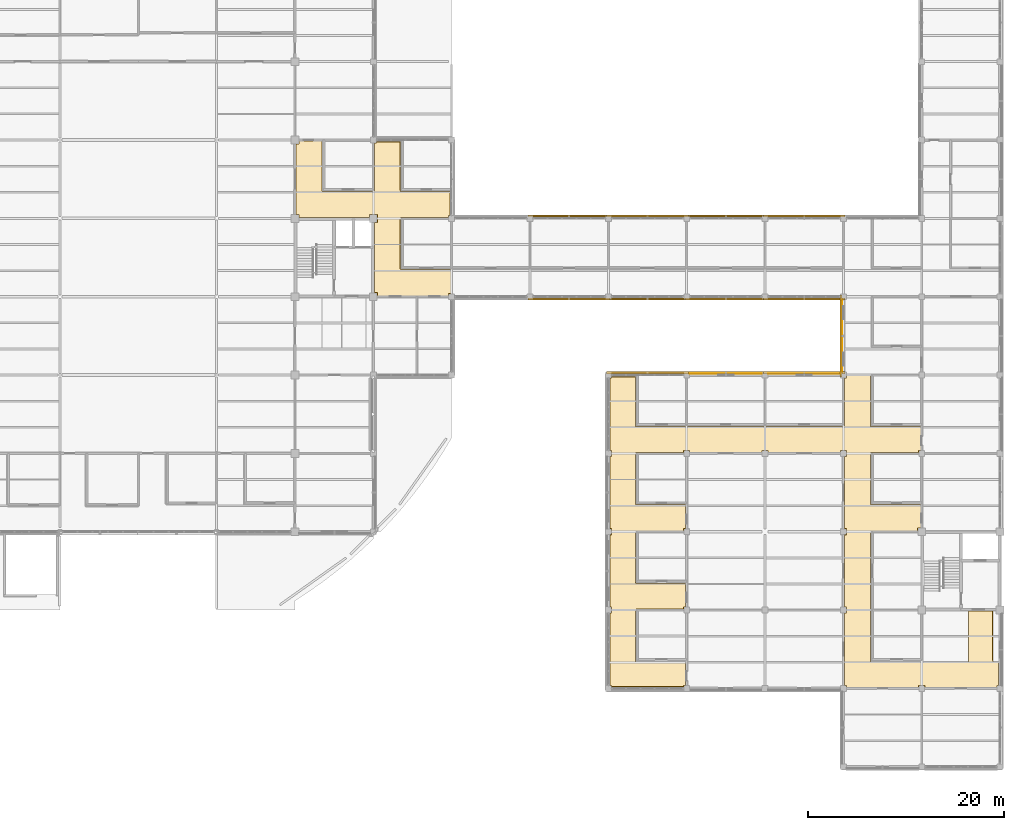
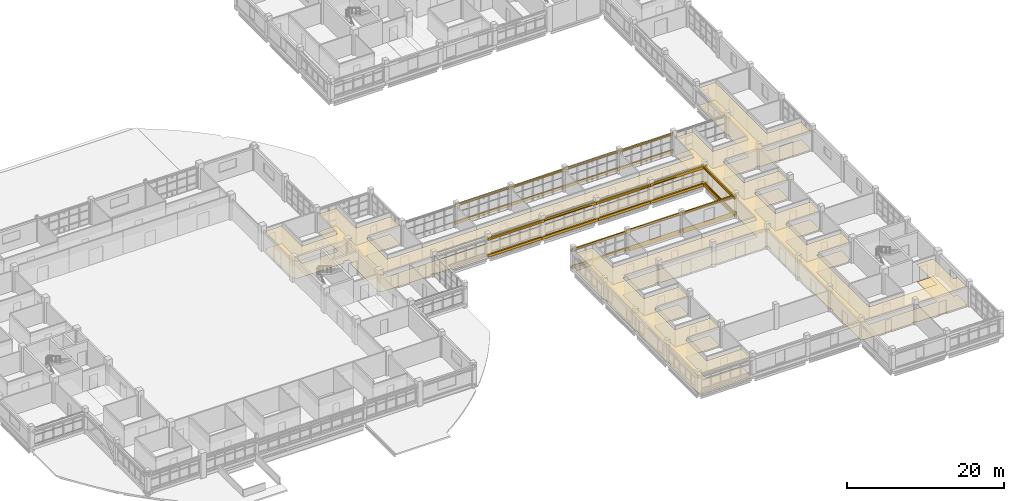
# One storey, part 122 of 126: 29 coverings, 12 shading devices.
"""IFC4 building model written with IfcOpenShell, lengths in metres."""

from ifc_helpers import new_model, si_unit, derived_unit, direction, frame, origin, origin_2d, place, context, subcontext, project, spatial, polyline, rectangle, circle, outline, extrude, material, layer, layer_set, material_profile, profile_set, type_object, element, save


model = new_model("IFC4")

# Units and contexts
model_context = context("Model", 3, precision=1e-05, world=origin(), true_north=direction((0.0, 1.0)))
body_context = subcontext(model_context, "Body", "Model", "MODEL_VIEW")
ifc_project = project(units=[si_unit("LENGTHUNIT", "METRE"), si_unit("AREAUNIT", "SQUARE_METRE"), si_unit("VOLUMEUNIT", "CUBIC_METRE"), si_unit("PLANEANGLEUNIT", "RADIAN"), si_unit("MASSUNIT", "GRAM", prefix="KILO"), derived_unit("THERMALTRANSMITTANCEUNIT", [(si_unit("MASSUNIT", "GRAM", prefix="KILO"), 1), (si_unit("TIMEUNIT", "SECOND"), -3), (si_unit("THERMODYNAMICTEMPERATUREUNIT", "KELVIN"), -1)])], contexts=[model_context])

# Site, building, storey
site_placement = place(None, origin())
site = spatial("IfcSite", under=ifc_project, at=site_placement, CompositionType="ELEMENT")
building_placement = place(site_placement, origin())
building = spatial("IfcBuilding", under=site, at=building_placement, Name="Veyamyaing Civic Hall", CompositionType="ELEMENT")
storey_placement = place(building_placement, frame((0.0, 0.0, 9.89990234375)))
storey = spatial("IfcBuildingStorey", under=building, at=storey_placement, Name="L02", CompositionType="ELEMENT", Elevation=9.89990234375)

# Coverings
ifc_material_1 = material(Name="Buff sandstone ashlar cladding", Category="masonry")
ifc_layer_1 = layer(ifc_material_1, 0.050048828125, Name="Buff sandstone ashlar cladding")
ifc_layer_set_1 = layer_set([ifc_layer_1], Name="Buff sandstone ashlar cladding")
covering_type_1 = type_object("IfcCoveringType", Name="CL-01", PredefinedType="CLADDING", material=ifc_layer_set_1)
for number, where, z_axis, x_axis, name in (
    (1, (156.0, 40.156005859375, 0.045166015625), (0.0, 0.0, 1.0), (1.0, 0.0, 0.0), "Facade spandrel cladding CL-01 L02 N 20.5"),
    (2, (159.839111328125, 44.0, 0.045166015625), (0.0, 0.0, 1.0), (0.0, 1.0, 0.0), "Facade spandrel cladding CL-01 L02 W 21.6"),
):
    element("IfcCovering", number, at=place(storey_placement, frame(where, z_axis=z_axis, x_axis=x_axis)), inside=storey, type_object=covering_type_1, Name=name, PredefinedType="CLADDING", context=body_context, shape_type="SweptSolid", body=[
        extrude(rectangle(XDim=7.35009765625, YDim=0.050048828125, at=origin_2d()), origin(), (0.0, 0.0, 1.0), 0.75),
    ])
ifc_material_2 = material(Name="Turquoise glazed ceramic tile cladding", Category="masonry")
ifc_layer_2 = layer(ifc_material_2, 0.034912109375, Name="Turquoise glazed ceramic tile cladding")
ifc_layer_set_2 = layer_set([ifc_layer_2], Name="Turquoise glazed ceramic tile cladding")
covering_type_2 = type_object("IfcCoveringType", Name="CL-02", PredefinedType="CLADDING", material=ifc_layer_set_2)
covering_1_placement = place(storey_placement, frame((148.0, 40.1484375, 0.045166015625), z_axis=(0.0, 0.0, 1.0), x_axis=(1.0, 0.0, 0.0)))
element("IfcCovering", 3, at=covering_1_placement, inside=storey, type_object=covering_type_2, Name="Facade spandrel cladding CL-02 L02 N 19.5", PredefinedType="CLADDING", context=body_context, shape_type="SweptSolid", body=[
    extrude(rectangle(XDim=7.35009765625, YDim=0.034912109375, at=origin_2d()), origin(), (0.0, 0.0, 1.0), 0.75),
])
ifc_material_3 = material(Name="White powder-coated aluminium 6063-T6", Category="aluminium")
ifc_layer_3 = layer(ifc_material_3, 0.2099609375, Name="White powder-coated aluminium 6063-T6")
ifc_layer_set_3 = layer_set([ifc_layer_3], Name="White powder-coated aluminium 6063-T6")
covering_type_3 = type_object("IfcCoveringType", Name="CL-03", PredefinedType="CLADDING", material=ifc_layer_set_3)
for number, where, z_axis, x_axis, name in (
    (4, (132.0, 47.760009765625, 2.900146484375), (0.0, 0.0, 1.0), (1.0, 0.0, 0.0), "Continuous white head fascia ribbon CL-03 L02 S 17.7"),
    (5, (132.0, 47.760009765625, 0.280029296875), (0.0, 0.0, 1.0), (1.0, 0.0, 0.0), "Continuous white sill fascia ribbon CL-03 L02 S 17.7"),
    (6, (132.0, 56.239990234375, 2.964111328125), (0.0, 0.0, 1.0), (1.0, 0.0, 0.0), "Continuous white head fascia ribbon CL-03 L02 N 17.7"),
    (7, (132.0, 56.239990234375, 0.280029296875), (0.0, 0.0, 1.0), (1.0, 0.0, 0.0), "Continuous white sill fascia ribbon CL-03 L02 N 17.7"),
    (8, (140.0, 40.239990234375, 2.900146484375), (0.0, 0.0, 1.0), (1.0, 0.0, 0.0), "Continuous white head fascia ribbon CL-03 L02 N 18.5"),
    (9, (140.0, 40.239990234375, 0.280029296875), (0.0, 0.0, 1.0), (1.0, 0.0, 0.0), "Continuous white sill fascia ribbon CL-03 L02 N 18.5"),
    (10, (140.0, 47.760009765625, 2.964111328125), (0.0, 0.0, 1.0), (1.0, 0.0, 0.0), "Continuous white head fascia ribbon CL-03 L02 S 18.7"),
    (11, (140.0, 47.760009765625, 0.280029296875), (0.0, 0.0, 1.0), (1.0, 0.0, 0.0), "Continuous white sill fascia ribbon CL-03 L02 S 18.7"),
    (12, (140.0, 56.239990234375, 2.904052734375), (0.0, 0.0, 1.0), (1.0, 0.0, 0.0), "Continuous white head fascia ribbon CL-03 L02 N 18.7"),
    (13, (140.0, 56.239990234375, 0.280029296875), (0.0, 0.0, 1.0), (1.0, 0.0, 0.0), "Continuous white sill fascia ribbon CL-03 L02 N 18.7"),
    (14, (148.0, 40.239990234375, 2.979248046875), (0.0, 0.0, 1.0), (1.0, 0.0, 0.0), "Continuous white head fascia ribbon CL-03 L02 N 19.5"),
    (15, (148.0, 40.239990234375, 0.280029296875), (0.0, 0.0, 1.0), (1.0, 0.0, 0.0), "Continuous white sill fascia ribbon CL-03 L02 N 19.5"),
    (16, (148.0, 47.760009765625, 2.904052734375), (0.0, 0.0, 1.0), (1.0, 0.0, 0.0), "Continuous white head fascia ribbon CL-03 L02 S 19.7"),
    (17, (148.0, 47.760009765625, 0.280029296875), (0.0, 0.0, 1.0), (1.0, 0.0, 0.0), "Continuous white sill fascia ribbon CL-03 L02 S 19.7"),
    (18, (148.0, 56.239990234375, 2.967041015625), (0.0, 0.0, 1.0), (1.0, 0.0, 0.0), "Continuous white head fascia ribbon CL-03 L02 N 19.7"),
    (19, (148.0, 56.239990234375, 0.280029296875), (0.0, 0.0, 1.0), (1.0, 0.0, 0.0), "Continuous white sill fascia ribbon CL-03 L02 N 19.7"),
    (20, (156.0, 40.239990234375, 2.919189453125), (0.0, 0.0, 1.0), (1.0, 0.0, 0.0), "Continuous white head fascia ribbon CL-03 L02 N 20.5"),
    (21, (156.0, 40.239990234375, 0.280029296875), (0.0, 0.0, 1.0), (1.0, 0.0, 0.0), "Continuous white sill fascia ribbon CL-03 L02 N 20.5"),
    (22, (156.0, 47.760009765625, 2.967041015625), (0.0, 0.0, 1.0), (1.0, 0.0, 0.0), "Continuous white head fascia ribbon CL-03 L02 S 20.7"),
    (23, (156.0, 47.760009765625, 0.280029296875), (0.0, 0.0, 1.0), (1.0, 0.0, 0.0), "Continuous white sill fascia ribbon CL-03 L02 S 20.7"),
    (24, (156.0, 56.239990234375, 2.900146484375), (0.0, 0.0, 1.0), (1.0, 0.0, 0.0), "Continuous white head fascia ribbon CL-03 L02 N 20.7"),
    (25, (156.0, 56.239990234375, 0.280029296875), (0.0, 0.0, 1.0), (1.0, 0.0, 0.0), "Continuous white sill fascia ribbon CL-03 L02 N 20.7"),
    (26, (159.760009765625, 44.0, 2.967041015625), (0.0, 0.0, 1.0), (0.0, 1.0, 0.0), "Continuous white head fascia ribbon CL-03 L02 W 21.6"),
    (27, (159.760009765625, 44.0, 0.280029296875), (0.0, 0.0, 1.0), (0.0, 1.0, 0.0), "Continuous white sill fascia ribbon CL-03 L02 W 21.6"),
):
    element("IfcCovering", number, at=place(storey_placement, frame(where, z_axis=z_axis, x_axis=x_axis)), inside=storey, type_object=covering_type_3, Name=name, PredefinedType="CLADDING", context=body_context, shape_type="SweptSolid", body=[
        extrude(rectangle(XDim=8.360107421875, YDim=0.2099609375, at=origin_2d()), origin(), (0.0, 0.0, 1.0), 0.39990234375),
    ])
ifc_material_4 = material(Name="Perforated acoustic gypsum ceiling board")
ifc_layer_4 = layer(ifc_material_4, 0.02490234375, Name="Perforated acoustic gypsum ceiling board")
ifc_layer_set_4 = layer_set([ifc_layer_4], Name="Perforated acoustic gypsum ceiling board")
covering_type_4 = type_object("IfcCoveringType", Name="CLG-01", PredefinedType="CEILING", material=ifc_layer_set_4)
covering_2_placement = place(storey_placement, frame((0.0, 0.0, 2.7001953125)))
element("IfcCovering", 28, at=covering_2_placement, inside=storey, type_object=covering_type_4, Name="Acoustic suspended ceiling CLG-01 L02-C05", PredefinedType="CEILING", context=body_context, shape_type="SweptSolid", body=[
    extrude(outline(polyline([(104.074951171875, 56.385009765625), (104.074951171875, 63.614990234375), (104.385009765625, 63.614990234375), (104.385009765625, 63.925048828125), (106.77490234375, 63.925048828125), (106.77490234375, 58.8525390625), (106.78125, 58.821533203125), (106.79736328125, 58.79736328125), (106.821533203125, 58.78125), (106.8525390625, 58.77490234375), (111.998291015625, 58.77490234375), (112.021728515625, 58.778564453125), (112.0419921875, 58.7880859375), (112.052490234375, 58.796630859375), (112.06640625, 58.815185546875), (112.0712890625, 58.82763671875), (112.074951171875, 58.851806640625), (112.074951171875, 63.715087890625), (112.284912109375, 63.715087890625), (112.284912109375, 63.844970703125), (114.77490234375, 63.844970703125), (114.77490234375, 58.8525390625), (114.78125, 58.821533203125), (114.79736328125, 58.79736328125), (114.821533203125, 58.78125), (114.8525390625, 58.77490234375), (119.844970703125, 58.77490234375), (119.844970703125, 56.284912109375), (119.715087890625, 56.284912109375), (119.715087890625, 56.074951171875), (114.851806640625, 56.074951171875), (114.82763671875, 56.0712890625), (114.815185546875, 56.06640625), (114.796630859375, 56.052490234375), (114.7880859375, 56.0419921875), (114.778564453125, 56.021728515625), (114.77490234375, 55.998291015625), (114.77490234375, 50.8525390625), (114.78125, 50.82080078125), (114.792236328125, 50.802490234375), (114.80810546875, 50.788330078125), (114.83544921875, 50.77685546875), (160.006103515625, 50.775390625), (160.03515625, 50.7841796875), (160.05810546875, 50.80322265625), (160.068603515625, 50.82080078125), (160.074951171875, 50.8525390625), (160.074951171875, 55.715087890625), (160.284912109375, 55.715087890625), (160.284912109375, 55.844970703125), (162.77490234375, 55.844970703125), (162.77490234375, 50.8525390625), (162.78125, 50.821533203125), (162.79736328125, 50.79736328125), (162.821533203125, 50.78125), (162.8525390625, 50.77490234375), (168.006103515625, 50.775390625), (168.03515625, 50.7841796875), (168.05810546875, 50.80322265625), (168.068603515625, 50.82080078125), (168.074951171875, 50.8525390625), (168.074951171875, 55.715087890625), (168.284912109375, 55.715087890625), (168.284912109375, 56.284912109375), (168.155029296875, 56.284912109375), (168.155029296875, 63.715087890625), (168.284912109375, 63.715087890625), (168.284912109375, 63.925048828125), (170.77490234375, 63.925048828125), (170.77490234375, 50.851806640625), (170.778564453125, 50.828369140625), (170.787841796875, 50.80859375), (170.80224609375, 50.792724609375), (170.8291015625, 50.7783203125), (170.851806640625, 50.77490234375), (175.844970703125, 50.77490234375), (175.844970703125, 48.284912109375), (175.715087890625, 48.284912109375), (175.715087890625, 48.074951171875), (168.284912109375, 48.074951171875), (168.284912109375, 48.284912109375), (167.715087890625, 48.284912109375), (167.715087890625, 48.074951171875), (162.851806640625, 48.074951171875), (162.8291015625, 48.071533203125), (162.80224609375, 48.057373046875), (162.787841796875, 48.04150390625), (162.778564453125, 48.021728515625), (162.77490234375, 47.998291015625), (162.77490234375, 42.8525390625), (162.78125, 42.821533203125), (162.79736328125, 42.79736328125), (162.821533203125, 42.78125), (162.8525390625, 42.77490234375), (167.925048828125, 42.77490234375), (167.925048828125, 40.284912109375), (167.715087890625, 40.284912109375), (167.715087890625, 40.074951171875), (162.851318359375, 40.074951171875), (162.8359375, 40.073486328125), (162.814208984375, 40.065673828125), (162.802978515625, 40.05810546875), (162.787841796875, 40.04150390625), (162.778564453125, 40.021728515625), (162.77490234375, 39.998291015625), (162.77490234375, 34.851806640625), (162.778564453125, 34.828369140625), (162.787841796875, 34.80859375), (162.80224609375, 34.792724609375), (162.8291015625, 34.7783203125), (162.851806640625, 34.77490234375), (167.925048828125, 34.77490234375), (167.925048828125, 32.284912109375), (167.715087890625, 32.284912109375), (167.715087890625, 32.074951171875), (162.8525390625, 32.074951171875), (162.821533203125, 32.06884765625), (162.79736328125, 32.052734375), (162.78125, 32.028564453125), (162.77490234375, 31.99755859375), (162.77685546875, 26.8349609375), (162.783935546875, 26.8154296875), (162.802734375, 26.79248046875), (162.8291015625, 26.7783203125), (162.851806640625, 26.77490234375), (167.925048828125, 26.77490234375), (167.925048828125, 24.385009765625), (167.614990234375, 24.385009765625), (167.614990234375, 24.074951171875), (162.851806640625, 24.074951171875), (162.828369140625, 24.071533203125), (162.80859375, 24.06201171875), (162.792236328125, 24.04736328125), (162.78125, 24.029296875), (162.77490234375, 23.99755859375), (162.775390625, 10.843994140625), (162.7841796875, 10.81494140625), (162.802734375, 10.79248046875), (162.8291015625, 10.7783203125), (162.851806640625, 10.77490234375), (172.697509765625, 10.77490234375), (172.729248046875, 10.78125), (172.747314453125, 10.792236328125), (172.76220703125, 10.80859375), (172.771484375, 10.828369140625), (172.77490234375, 10.851806640625), (172.77490234375, 15.925048828125), (175.27490234375, 15.925048828125), (175.275390625, 10.84326171875), (175.281005859375, 10.8212890625), (175.2919921875, 10.80322265625), (175.3154296875, 10.783935546875), (175.3349609375, 10.77685546875), (175.844970703125, 10.77490234375), (175.844970703125, 8.284912109375), (175.715087890625, 8.284912109375), (175.715087890625, 8.074951171875), (168.284912109375, 8.074951171875), (168.284912109375, 8.284912109375), (167.715087890625, 8.284912109375), (167.715087890625, 8.074951171875), (160.284912109375, 8.074951171875), (160.284912109375, 8.284912109375), (160.074951171875, 8.284912109375), (160.074951171875, 15.715087890625), (160.284912109375, 15.715087890625), (160.284912109375, 16.284912109375), (160.074951171875, 16.284912109375), (160.074951171875, 23.715087890625), (160.284912109375, 23.715087890625), (160.284912109375, 24.284912109375), (160.074951171875, 24.284912109375), (160.074951171875, 31.715087890625), (160.284912109375, 31.715087890625), (160.284912109375, 32.284912109375), (159.715087890625, 32.284912109375), (159.715087890625, 32.074951171875), (152.284912109375, 32.074951171875), (152.284912109375, 32.284912109375), (151.715087890625, 32.284912109375), (151.715087890625, 32.074951171875), (144.284912109375, 32.074951171875), (144.284912109375, 32.284912109375), (143.715087890625, 32.284912109375), (143.715087890625, 32.074951171875), (138.8525390625, 32.074951171875), (138.821533203125, 32.06884765625), (138.79736328125, 32.052734375), (138.78125, 32.028564453125), (138.77490234375, 31.99755859375), (138.77490234375, 26.851806640625), (138.778564453125, 26.828369140625), (138.787841796875, 26.80859375), (138.802978515625, 26.791748046875), (138.814208984375, 26.7841796875), (138.8359375, 26.776611328125), (138.851318359375, 26.77490234375), (143.925048828125, 26.77490234375), (143.925048828125, 24.284912109375), (143.715087890625, 24.284912109375), (143.715087890625, 24.074951171875), (138.8525390625, 24.074951171875), (138.821533203125, 24.06884765625), (138.79736328125, 24.052734375), (138.78125, 24.028564453125), (138.77490234375, 23.99755859375), (138.77490234375, 18.851806640625), (138.778564453125, 18.828369140625), (138.787841796875, 18.80859375), (138.80224609375, 18.792724609375), (138.8291015625, 18.7783203125), (138.851806640625, 18.77490234375), (143.925048828125, 18.77490234375), (143.925048828125, 16.284912109375), (143.715087890625, 16.284912109375), (143.715087890625, 16.074951171875), (138.8525390625, 16.074951171875), (138.821533203125, 16.06884765625), (138.79736328125, 16.052734375), (138.78125, 16.028564453125), (138.77490234375, 15.99755859375), (138.77685546875, 10.8349609375), (138.783935546875, 10.8154296875), (138.802734375, 10.79248046875), (138.8291015625, 10.7783203125), (138.851806640625, 10.77490234375), (143.925048828125, 10.77490234375), (143.925048828125, 8.284912109375), (143.715087890625, 8.284912109375), (143.715087890625, 8.155029296875), (136.284912109375, 8.155029296875), (136.284912109375, 8.284912109375), (136.155029296875, 8.284912109375), (136.155029296875, 15.715087890625), (136.284912109375, 15.715087890625), (136.284912109375, 16.284912109375), (136.155029296875, 16.284912109375), (136.155029296875, 23.715087890625), (136.284912109375, 23.715087890625), (136.284912109375, 24.284912109375), (136.155029296875, 24.284912109375), (136.155029296875, 31.715087890625), (136.284912109375, 31.715087890625), (136.284912109375, 32.284912109375), (136.155029296875, 32.284912109375), (136.155029296875, 39.715087890625), (136.284912109375, 39.715087890625), (136.284912109375, 39.844970703125), (138.77490234375, 39.844970703125), (138.77490234375, 34.8525390625), (138.78125, 34.82080078125), (138.7919921875, 34.80322265625), (138.8154296875, 34.783935546875), (138.834716796875, 34.77685546875), (159.998291015625, 34.77490234375), (160.02099609375, 34.7783203125), (160.0478515625, 34.792724609375), (160.06201171875, 34.80859375), (160.071533203125, 34.828369140625), (160.074951171875, 34.851806640625), (160.074951171875, 39.715087890625), (160.284912109375, 39.715087890625), (160.284912109375, 40.284912109375), (160.155029296875, 40.284912109375), (160.155029296875, 47.715087890625), (160.284912109375, 47.715087890625), (160.284912109375, 48.284912109375), (159.715087890625, 48.284912109375), (159.715087890625, 48.155029296875), (152.284912109375, 48.155029296875), (152.284912109375, 48.284912109375), (151.715087890625, 48.284912109375), (151.715087890625, 48.155029296875), (144.284912109375, 48.155029296875), (144.284912109375, 48.284912109375), (143.715087890625, 48.284912109375), (143.715087890625, 48.155029296875), (136.284912109375, 48.155029296875), (136.284912109375, 48.284912109375), (135.715087890625, 48.284912109375), (135.715087890625, 48.155029296875), (128.284912109375, 48.155029296875), (128.284912109375, 48.284912109375), (127.715087890625, 48.284912109375), (127.715087890625, 48.155029296875), (120.284912109375, 48.155029296875), (120.284912109375, 48.284912109375), (119.715087890625, 48.284912109375), (119.715087890625, 48.074951171875), (112.385009765625, 48.074951171875), (112.385009765625, 48.385009765625), (112.074951171875, 48.385009765625), (112.074951171875, 55.614990234375), (112.385009765625, 55.614990234375), (112.385009765625, 56.385009765625), (111.614990234375, 56.385009765625), (111.614990234375, 56.074951171875), (104.385009765625, 56.074951171875), (104.385009765625, 56.385009765625), (104.074951171875, 56.385009765625)])), origin(), (0.0, 0.0, 1.0), 0.02490234375),
])
ifc_material_5 = material(Name="Polished Mandalay marble and terrazzo flooring", Category="masonry")
ifc_layer_5 = layer(ifc_material_5, 0.030029296875, Name="Polished Mandalay marble and terrazzo flooring")
ifc_layer_set_5 = layer_set([ifc_layer_5], Name="Polished Mandalay marble and terrazzo flooring")
covering_type_5 = type_object("IfcCoveringType", Name="FLR-01", PredefinedType="FLOORING", material=ifc_layer_set_5)
covering_3_placement = place(storey_placement, origin())
element("IfcCovering", 29, at=covering_3_placement, inside=storey, type_object=covering_type_5, Name="Stone and terrazzo flooring FLR-01 L02-C05", PredefinedType="FLOORING", context=body_context, shape_type="SweptSolid", body=[
    extrude(outline(polyline([(104.10009765625, 56.409912109375), (104.10009765625, 63.590087890625), (104.409912109375, 63.590087890625), (104.409912109375, 63.89990234375), (106.75, 63.89990234375), (106.75, 58.85009765625), (106.757568359375, 58.811767578125), (106.779296875, 58.779296875), (106.811767578125, 58.757568359375), (106.85009765625, 58.75), (112.0, 58.75), (112.029052734375, 58.75439453125), (112.0556640625, 58.766845703125), (112.07080078125, 58.779296875), (112.088134765625, 58.802978515625), (112.095703125, 58.821044921875), (112.10009765625, 58.85009765625), (112.10009765625, 63.68994140625), (112.31005859375, 63.68994140625), (112.31005859375, 63.820068359375), (114.75, 63.820068359375), (114.75, 58.85009765625), (114.757568359375, 58.811767578125), (114.779296875, 58.779296875), (114.811767578125, 58.757568359375), (114.85009765625, 58.75), (119.820068359375, 58.75), (119.820068359375, 56.31005859375), (119.68994140625, 56.31005859375), (119.68994140625, 56.10009765625), (114.85009765625, 56.10009765625), (114.821044921875, 56.095703125), (114.802978515625, 56.088134765625), (114.779296875, 56.07080078125), (114.766845703125, 56.0556640625), (114.75439453125, 56.029052734375), (114.75, 56.0), (114.75, 50.85009765625), (114.757568359375, 50.811767578125), (114.772705078125, 50.78662109375), (114.79443359375, 50.766845703125), (114.83056640625, 50.751953125), (160.009765625, 50.75048828125), (160.047119140625, 50.76171875), (160.077392578125, 50.78662109375), (160.09228515625, 50.811767578125), (160.10009765625, 50.85009765625), (160.10009765625, 55.68994140625), (160.31005859375, 55.68994140625), (160.31005859375, 55.820068359375), (162.75, 55.820068359375), (162.75, 50.85009765625), (162.757568359375, 50.811767578125), (162.779296875, 50.779296875), (162.811767578125, 50.757568359375), (162.85009765625, 50.75), (168.009765625, 50.75048828125), (168.047119140625, 50.76171875), (168.077392578125, 50.78662109375), (168.09228515625, 50.811767578125), (168.10009765625, 50.85009765625), (168.10009765625, 55.68994140625), (168.31005859375, 55.68994140625), (168.31005859375, 56.31005859375), (168.179931640625, 56.31005859375), (168.179931640625, 63.68994140625), (168.31005859375, 63.68994140625), (168.31005859375, 63.89990234375), (170.75, 63.89990234375), (170.75, 50.85009765625), (170.75439453125, 50.821044921875), (170.766845703125, 50.79443359375), (170.78662109375, 50.772705078125), (170.821044921875, 50.75439453125), (170.85009765625, 50.75), (175.820068359375, 50.75), (175.820068359375, 48.31005859375), (175.68994140625, 48.31005859375), (175.68994140625, 48.10009765625), (168.31005859375, 48.10009765625), (168.31005859375, 48.31005859375), (167.68994140625, 48.31005859375), (167.68994140625, 48.10009765625), (162.85009765625, 48.10009765625), (162.821044921875, 48.095703125), (162.78662109375, 48.077392578125), (162.766845703125, 48.0556640625), (162.75439453125, 48.029052734375), (162.75, 48.0), (162.75, 42.85009765625), (162.757568359375, 42.811767578125), (162.779296875, 42.779296875), (162.811767578125, 42.757568359375), (162.85009765625, 42.75), (167.89990234375, 42.75), (167.89990234375, 40.31005859375), (167.68994140625, 40.31005859375), (167.68994140625, 40.10009765625), (162.85009765625, 40.10009765625), (162.83056640625, 40.09814453125), (162.802978515625, 40.088134765625), (162.78662109375, 40.077392578125), (162.766845703125, 40.0556640625), (162.75439453125, 40.029052734375), (162.75, 40.0), (162.75, 34.85009765625), (162.75439453125, 34.821044921875), (162.766845703125, 34.79443359375), (162.78662109375, 34.772705078125), (162.821044921875, 34.75439453125), (162.85009765625, 34.75), (167.89990234375, 34.75), (167.89990234375, 32.31005859375), (167.68994140625, 32.31005859375), (167.68994140625, 32.10009765625), (162.85009765625, 32.10009765625), (162.811767578125, 32.09228515625), (162.779296875, 32.07080078125), (162.757568359375, 32.038330078125), (162.75, 32.0), (162.751953125, 26.83056640625), (162.76171875, 26.802978515625), (162.78662109375, 26.772705078125), (162.821044921875, 26.75439453125), (162.85009765625, 26.75), (167.89990234375, 26.75), (167.89990234375, 24.409912109375), (167.590087890625, 24.409912109375), (167.590087890625, 24.10009765625), (162.85009765625, 24.10009765625), (162.821044921875, 24.095703125), (162.79443359375, 24.0830078125), (162.772705078125, 24.0634765625), (162.757568359375, 24.038330078125), (162.75, 24.0), (162.75048828125, 10.840087890625), (162.76171875, 10.802978515625), (162.78662109375, 10.772705078125), (162.821044921875, 10.75439453125), (162.85009765625, 10.75), (172.699951171875, 10.75), (172.73828125, 10.757568359375), (172.763427734375, 10.772705078125), (172.783203125, 10.79443359375), (172.795654296875, 10.821044921875), (172.800048828125, 10.85009765625), (172.800048828125, 15.89990234375), (175.25, 15.89990234375), (175.25048828125, 10.840087890625), (175.257568359375, 10.811767578125), (175.272705078125, 10.78662109375), (175.302978515625, 10.76171875), (175.33056640625, 10.751953125), (175.820068359375, 10.75), (175.820068359375, 8.31005859375), (175.68994140625, 8.31005859375), (175.68994140625, 8.10009765625), (168.31005859375, 8.10009765625), (168.31005859375, 8.31005859375), (167.68994140625, 8.31005859375), (167.68994140625, 8.10009765625), (160.31005859375, 8.10009765625), (160.31005859375, 8.31005859375), (160.10009765625, 8.31005859375), (160.10009765625, 15.68994140625), (160.31005859375, 15.68994140625), (160.31005859375, 16.31005859375), (160.10009765625, 16.31005859375), (160.10009765625, 23.68994140625), (160.31005859375, 23.68994140625), (160.31005859375, 24.31005859375), (160.10009765625, 24.31005859375), (160.10009765625, 31.68994140625), (160.31005859375, 31.68994140625), (160.31005859375, 32.31005859375), (159.68994140625, 32.31005859375), (159.68994140625, 32.10009765625), (152.31005859375, 32.10009765625), (152.31005859375, 32.31005859375), (151.68994140625, 32.31005859375), (151.68994140625, 32.10009765625), (144.31005859375, 32.10009765625), (144.31005859375, 32.31005859375), (143.68994140625, 32.31005859375), (143.68994140625, 32.10009765625), (138.85009765625, 32.10009765625), (138.811767578125, 32.09228515625), (138.779296875, 32.07080078125), (138.757568359375, 32.038330078125), (138.75, 32.0), (138.75, 26.85009765625), (138.75439453125, 26.821044921875), (138.766845703125, 26.79443359375), (138.78662109375, 26.772705078125), (138.802978515625, 26.76171875), (138.83056640625, 26.751953125), (138.85009765625, 26.75), (143.89990234375, 26.75), (143.89990234375, 24.31005859375), (143.68994140625, 24.31005859375), (143.68994140625, 24.10009765625), (138.85009765625, 24.10009765625), (138.811767578125, 24.09228515625), (138.779296875, 24.07080078125), (138.757568359375, 24.038330078125), (138.75, 24.0), (138.75, 18.85009765625), (138.75439453125, 18.821044921875), (138.766845703125, 18.79443359375), (138.78662109375, 18.772705078125), (138.821044921875, 18.75439453125), (138.85009765625, 18.75), (143.89990234375, 18.75), (143.89990234375, 16.31005859375), (143.68994140625, 16.31005859375), (143.68994140625, 16.10009765625), (138.85009765625, 16.10009765625), (138.811767578125, 16.09228515625), (138.779296875, 16.07080078125), (138.757568359375, 16.038330078125), (138.75, 16.0), (138.751953125, 10.83056640625), (138.76171875, 10.802978515625), (138.78662109375, 10.772705078125), (138.821044921875, 10.75439453125), (138.85009765625, 10.75), (143.89990234375, 10.75), (143.89990234375, 8.31005859375), (143.68994140625, 8.31005859375), (143.68994140625, 8.179931640625), (136.31005859375, 8.179931640625), (136.31005859375, 8.31005859375), (136.179931640625, 8.31005859375), (136.179931640625, 15.68994140625), (136.31005859375, 15.68994140625), (136.31005859375, 16.31005859375), (136.179931640625, 16.31005859375), (136.179931640625, 23.68994140625), (136.31005859375, 23.68994140625), (136.31005859375, 24.31005859375), (136.179931640625, 24.31005859375), (136.179931640625, 31.68994140625), (136.31005859375, 31.68994140625), (136.31005859375, 32.31005859375), (136.179931640625, 32.31005859375), (136.179931640625, 39.68994140625), (136.31005859375, 39.68994140625), (136.31005859375, 39.820068359375), (138.75, 39.820068359375), (138.75, 34.85009765625), (138.757568359375, 34.811767578125), (138.772705078125, 34.78662109375), (138.802978515625, 34.76171875), (138.83056640625, 34.751953125), (160.0, 34.75), (160.029052734375, 34.75439453125), (160.0634765625, 34.772705078125), (160.0830078125, 34.79443359375), (160.095703125, 34.821044921875), (160.10009765625, 34.85009765625), (160.10009765625, 39.68994140625), (160.31005859375, 39.68994140625), (160.31005859375, 40.31005859375), (160.179931640625, 40.31005859375), (160.179931640625, 47.68994140625), (160.31005859375, 47.68994140625), (160.31005859375, 48.31005859375), (159.68994140625, 48.31005859375), (159.68994140625, 48.179931640625), (152.31005859375, 48.179931640625), (152.31005859375, 48.31005859375), (151.68994140625, 48.31005859375), (151.68994140625, 48.179931640625), (144.31005859375, 48.179931640625), (144.31005859375, 48.31005859375), (143.68994140625, 48.31005859375), (143.68994140625, 48.179931640625), (136.31005859375, 48.179931640625), (136.31005859375, 48.31005859375), (135.68994140625, 48.31005859375), (135.68994140625, 48.179931640625), (128.31005859375, 48.179931640625), (128.31005859375, 48.31005859375), (127.68994140625, 48.31005859375), (127.68994140625, 48.179931640625), (120.31005859375, 48.179931640625), (120.31005859375, 48.31005859375), (119.68994140625, 48.31005859375), (119.68994140625, 48.10009765625), (112.409912109375, 48.10009765625), (112.409912109375, 48.409912109375), (112.10009765625, 48.409912109375), (112.10009765625, 55.590087890625), (112.409912109375, 55.590087890625), (112.409912109375, 56.409912109375), (111.590087890625, 56.409912109375), (111.590087890625, 56.10009765625), (104.409912109375, 56.10009765625), (104.409912109375, 56.409912109375), (104.10009765625, 56.409912109375)])), origin(), (0.0, 0.0, 1.0), 0.030029296875),
])

# Shading devices
ifc_material_profile = material_profile(ifc_material_3, circle(Radius=0.090087890625, at=origin_2d()), Name="SHADE-TUBE-180")
ifc_profile_set = profile_set([ifc_material_profile], Name="White powder-coated aluminium 6063-T6")
shading_device_type = type_object("IfcShadingDeviceType", Name="SH-02", PredefinedType="USERDEFINED", material=ifc_profile_set)
for number, where, z_axis, x_axis, name in (
    (30, (128.284912109375, 47.760009765625, 3.06005859375), (1.0, 0.0, 0.0), (0.0, 1.0, 0.0), "Horizontal white sunshade ribbon SH-02 L02 S 17.7"),
    (31, (128.284912109375, 56.239990234375, 3.1240234375), (1.0, 0.0, 0.0), (0.0, 1.0, 0.0), "Horizontal white sunshade ribbon SH-02 L02 N 17.7"),
    (32, (136.284912109375, 40.239990234375, 3.06005859375), (1.0, 0.0, 0.0), (0.0, 1.0, 0.0), "Horizontal white sunshade ribbon SH-02 L02 N 18.5"),
    (33, (136.284912109375, 47.760009765625, 3.1240234375), (1.0, 0.0, 0.0), (0.0, 1.0, 0.0), "Horizontal white sunshade ribbon SH-02 L02 S 18.7"),
    (34, (136.284912109375, 56.239990234375, 3.064208984375), (1.0, 0.0, 0.0), (0.0, 1.0, 0.0), "Horizontal white sunshade ribbon SH-02 L02 N 18.7"),
    (35, (144.284912109375, 40.239990234375, 3.13916015625), (1.0, 0.0, 0.0), (0.0, 1.0, 0.0), "Horizontal white sunshade ribbon SH-02 L02 N 19.5"),
    (36, (144.284912109375, 47.760009765625, 3.064208984375), (1.0, 0.0, 0.0), (0.0, 1.0, 0.0), "Horizontal white sunshade ribbon SH-02 L02 S 19.7"),
    (37, (144.284912109375, 56.239990234375, 3.127197265625), (1.0, 0.0, 0.0), (0.0, 1.0, 0.0), "Horizontal white sunshade ribbon SH-02 L02 N 19.7"),
    (38, (152.284912109375, 40.239990234375, 3.0791015625), (1.0, 0.0, 0.0), (0.0, 1.0, 0.0), "Horizontal white sunshade ribbon SH-02 L02 N 20.5"),
    (39, (152.284912109375, 47.760009765625, 3.127197265625), (1.0, 0.0, 0.0), (0.0, 1.0, 0.0), "Horizontal white sunshade ribbon SH-02 L02 S 20.7"),
    (40, (152.284912109375, 56.239990234375, 3.06005859375), (1.0, 0.0, 0.0), (0.0, 1.0, 0.0), "Horizontal white sunshade ribbon SH-02 L02 N 20.7"),
    (41, (159.760009765625, 40.284912109375, 3.127197265625), (0.0, 1.0, 0.0), (-1.0, 0.0, 0.0), "Horizontal white sunshade ribbon SH-02 L02 W 21.6"),
):
    element("IfcShadingDevice", number, at=place(storey_placement, frame(where, z_axis=z_axis, x_axis=x_axis)), inside=storey, type_object=shading_device_type, Name=name, ObjectType="SUNSHADE", PredefinedType="USERDEFINED", context=body_context, shape_type="SweptSolid", body=[
        extrude(circle(Radius=0.090087890625, at=origin_2d()), origin(), (0.0, 0.0, 1.0), 7.43017578125),
    ])

save(model, "model.ifc")
